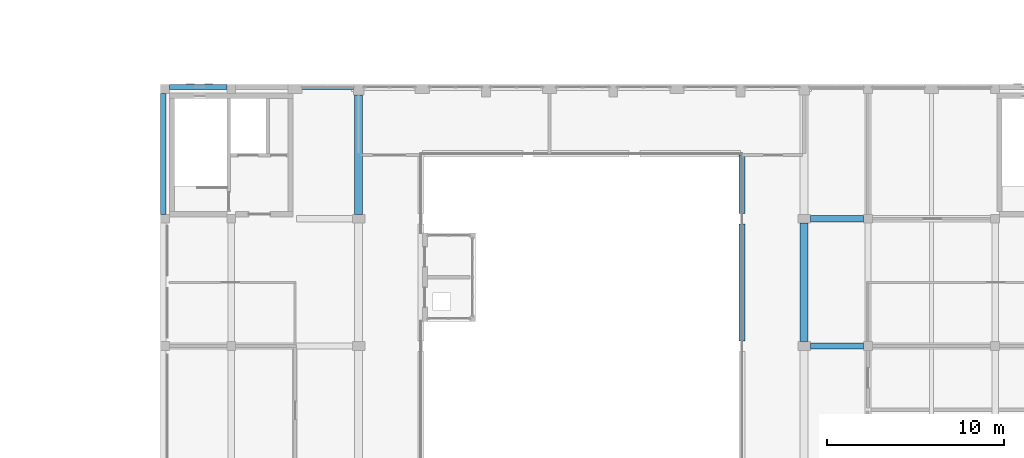
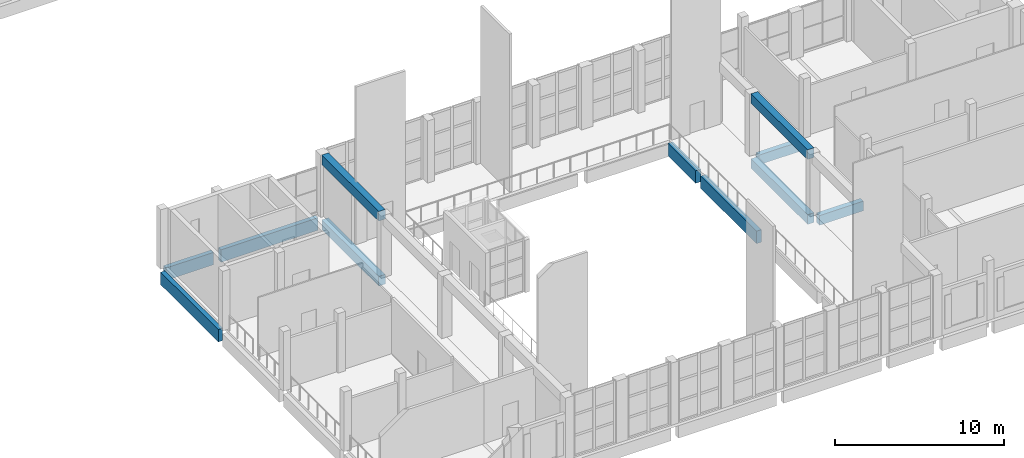
# One storey, part 7 of 54: 11 beams.
"""IFC4 building model written with IfcOpenShell, lengths in metres."""

from ifc_helpers import new_model, si_unit, direction, frame, origin, origin_2d, place, context, subcontext, project, spatial, rectangle, extrude, material, material_profile, profile_set, type_object, element, save


model = new_model("IFC4")

# Units and contexts
model_context = context("Model", 3, precision=1e-05, world=origin(), true_north=direction((0.0, 1.0)))
body_context = subcontext(model_context, "Body", "Model", "MODEL_VIEW")
ifc_project = project(units=[si_unit("LENGTHUNIT", "METRE"), si_unit("AREAUNIT", "SQUARE_METRE"), si_unit("VOLUMEUNIT", "CUBIC_METRE"), si_unit("PLANEANGLEUNIT", "RADIAN"), si_unit("MASSUNIT", "GRAM", prefix="KILO")], contexts=[model_context])

# Site, building, storey
site_placement = place(None, origin())
site = spatial("IfcSite", under=ifc_project, at=site_placement, CompositionType="ELEMENT")
building_placement = place(site_placement, origin())
building = spatial("IfcBuilding", under=site, at=building_placement, Name="Ussher Court Research Institute", CompositionType="ELEMENT")
storey_placement = place(building_placement, frame((0.0, 0.0, 14.39990234375)))
storey = spatial("IfcBuildingStorey", under=building, at=storey_placement, Name="L03", CompositionType="ELEMENT", Elevation=14.39990234375)

# Beams
ifc_material_1 = material(Name="Concrete C35/45", Category="concrete")
ifc_material_profile_1 = material_profile(ifc_material_1, rectangle(XDim=0.300048828125, YDim=0.89990234375, at=origin_2d()), Name="RC 300x900")
ifc_profile_set_1 = profile_set([ifc_material_profile_1], Name="Concrete C35/45")
beam_type_1 = type_object("IfcBeamType", Name="RC 300x900 beam", PredefinedType="BEAM", material=ifc_profile_set_1)
beam_1_placement = place(storey_placement, frame((28.300048828125, 40.25, -0.64990234375), z_axis=(1.0, 0.0, 0.0), x_axis=(0.0, 1.0, 0.0)))
element("IfcBeam", 1, at=beam_1_placement, inside=storey, type_object=beam_type_1, Name="SB2 V7 L03-06", PredefinedType="BEAM", context=body_context, shape_type="SweptSolid", body=[
    extrude(rectangle(XDim=0.300048828125, YDim=0.89990234375, at=origin_2d()), origin(), (0.0, 0.0, 1.0), 3.25),
])
beam_2_placement = place(storey_placement, frame((32.050048828125, 40.25, -0.64990234375), z_axis=(1.0, 0.0, 0.0), x_axis=(0.0, 1.0, 0.0)))
element("IfcBeam", 2, at=beam_2_placement, inside=storey, type_object=beam_type_1, Name="SB2 V7 L03-07", PredefinedType="BEAM", context=body_context, shape_type="SweptSolid", body=[
    extrude(rectangle(XDim=0.300048828125, YDim=0.89990234375, at=origin_2d()), origin(), (0.0, 0.0, 1.0), 6.64990234375),
])
beam_3_placement = place(storey_placement, frame((27.949951171875, 33.050048828125, -0.64990234375), z_axis=(0.0, 1.0, 0.0), x_axis=(-1.0, 0.0, 0.0)))
element("IfcBeam", 3, at=beam_3_placement, inside=storey, type_object=beam_type_1, Name="SB2 V7 L03-14", PredefinedType="BEAM", context=body_context, shape_type="SweptSolid", body=[
    extrude(rectangle(XDim=0.300048828125, YDim=0.89990234375, at=origin_2d()), origin(), (0.0, 0.0, 1.0), 6.849853515625),
])
ifc_material_2 = material(Name="Concrete C35/45", Category="concrete")
ifc_material_profile_2 = material_profile(ifc_material_2, rectangle(XDim=0.35009765625, YDim=0.699951171875, at=origin_2d()), Name="RC 350x700")
ifc_profile_set_2 = profile_set([ifc_material_profile_2], Name="Concrete C35/45")
beam_type_2 = type_object("IfcBeamType", Name="RC 350x700 beam", PredefinedType="BEAM", material=ifc_profile_set_2)
for number, where, z_axis, x_axis, name in (
    (4, (64.550048828125, 25.60009765625, -0.5498046875), (1.0, 0.0, 0.0), (0.0, 1.0, 0.0), "B16 V7 L03-08"),
    (5, (64.550048828125, 32.800048828125, -0.5498046875), (1.0, 0.0, 0.0), (0.0, 1.0, 0.0), "B16 V7 L03-12"),
):
    element("IfcBeam", number, at=place(storey_placement, frame(where, z_axis=z_axis, x_axis=x_axis)), inside=storey, type_object=beam_type_2, Name=name, PredefinedType="BEAM", context=body_context, shape_type="SweptSolid", body=[
        extrude(rectangle(XDim=0.35009765625, YDim=0.699951171875, at=origin_2d()), origin(), (0.0, 0.0, 1.0), 3.0),
    ])
ifc_material_3 = material(Name="Concrete C35/45", Category="concrete")
ifc_material_profile_3 = material_profile(ifc_material_3, rectangle(XDim=0.35009765625, YDim=0.89990234375, at=origin_2d()), Name="RC 350x900")
ifc_profile_set_3 = profile_set([ifc_material_profile_3], Name="Concrete C35/45")
beam_type_3 = type_object("IfcBeamType", Name="RC 350x900 beam", PredefinedType="BEAM", material=ifc_profile_set_3)
beam_4_placement = place(storey_placement, frame((60.675048828125, 25.89990234375, -0.64990234375), z_axis=(0.0, 1.0, 0.0), x_axis=(-1.0, 0.0, 0.0)))
element("IfcBeam", 6, at=beam_4_placement, inside=storey, type_object=beam_type_3, Name="SB1 V2 L03-15", PredefinedType="BEAM", context=body_context, shape_type="SweptSolid", body=[
    extrude(rectangle(XDim=0.35009765625, YDim=0.89990234375, at=origin_2d()), origin(), (0.0, 0.0, 1.0), 6.60009765625),
])
beam_5_placement = place(storey_placement, frame((60.675048828125, 33.10009765625, -0.64990234375), z_axis=(0.0, 1.0, 0.0), x_axis=(-1.0, 0.0, 0.0)))
element("IfcBeam", 7, at=beam_5_placement, inside=storey, type_object=beam_type_3, Name="SB1 V2 L03-16", PredefinedType="BEAM", context=body_context, shape_type="SweptSolid", body=[
    extrude(rectangle(XDim=0.35009765625, YDim=0.89990234375, at=origin_2d()), origin(), (0.0, 0.0, 1.0), 3.2998046875),
])
ifc_material_4 = material(Name="Concrete C35/45", Category="concrete")
ifc_material_profile_4 = material_profile(ifc_material_4, rectangle(XDim=0.449951171875, YDim=0.699951171875, at=origin_2d()), Name="RC 450x700")
ifc_profile_set_4 = profile_set([ifc_material_profile_4], Name="Concrete C35/45")
beam_type_4 = type_object("IfcBeamType", Name="RC 450x700 beam", PredefinedType="BEAM", material=ifc_profile_set_4)
beam_6_placement = place(storey_placement, frame((39.0, 33.050048828125, -0.5498046875), z_axis=(0.0, 1.0, 0.0), x_axis=(-1.0, 0.0, 0.0)))
element("IfcBeam", 8, at=beam_6_placement, inside=storey, type_object=beam_type_4, Name="B10 V2 L03-04", PredefinedType="BEAM", context=body_context, shape_type="SweptSolid", body=[
    extrude(rectangle(XDim=0.449951171875, YDim=0.699951171875, at=origin_2d()), origin(), (0.0, 0.0, 1.0), 6.75),
])
beam_7_placement = place(storey_placement, frame((64.199951171875, 25.85009765625, -0.5498046875), z_axis=(0.0, 1.0, 0.0), x_axis=(-1.0, 0.0, 0.0)))
element("IfcBeam", 9, at=beam_7_placement, inside=storey, type_object=beam_type_4, Name="B10 V2 L03-07", PredefinedType="BEAM", context=body_context, shape_type="SweptSolid", body=[
    extrude(rectangle(XDim=0.449951171875, YDim=0.699951171875, at=origin_2d()), origin(), (0.0, 0.0, 1.0), 6.699951171875),
])
beam_8_placement = place(storey_placement, frame((39.0, 33.050048828125, 4.150146484375), z_axis=(0.0, 1.0, 0.0), x_axis=(-1.0, 0.0, 0.0)))
element("IfcBeam", 10, at=beam_8_placement, inside=storey, type_object=beam_type_4, Name="B10 V2 L03-12", PredefinedType="BEAM", context=body_context, shape_type="SweptSolid", body=[
    extrude(rectangle(XDim=0.449951171875, YDim=0.699951171875, at=origin_2d()), origin(), (0.0, 0.0, 1.0), 6.75),
])
beam_9_placement = place(storey_placement, frame((64.199951171875, 25.85009765625, 4.150146484375), z_axis=(0.0, 1.0, 0.0), x_axis=(-1.0, 0.0, 0.0)))
element("IfcBeam", 11, at=beam_9_placement, inside=storey, type_object=beam_type_4, Name="B10 V2 L03-15", PredefinedType="BEAM", context=body_context, shape_type="SweptSolid", body=[
    extrude(rectangle(XDim=0.449951171875, YDim=0.699951171875, at=origin_2d()), origin(), (0.0, 0.0, 1.0), 6.699951171875),
])

save(model, "model.ifc")
